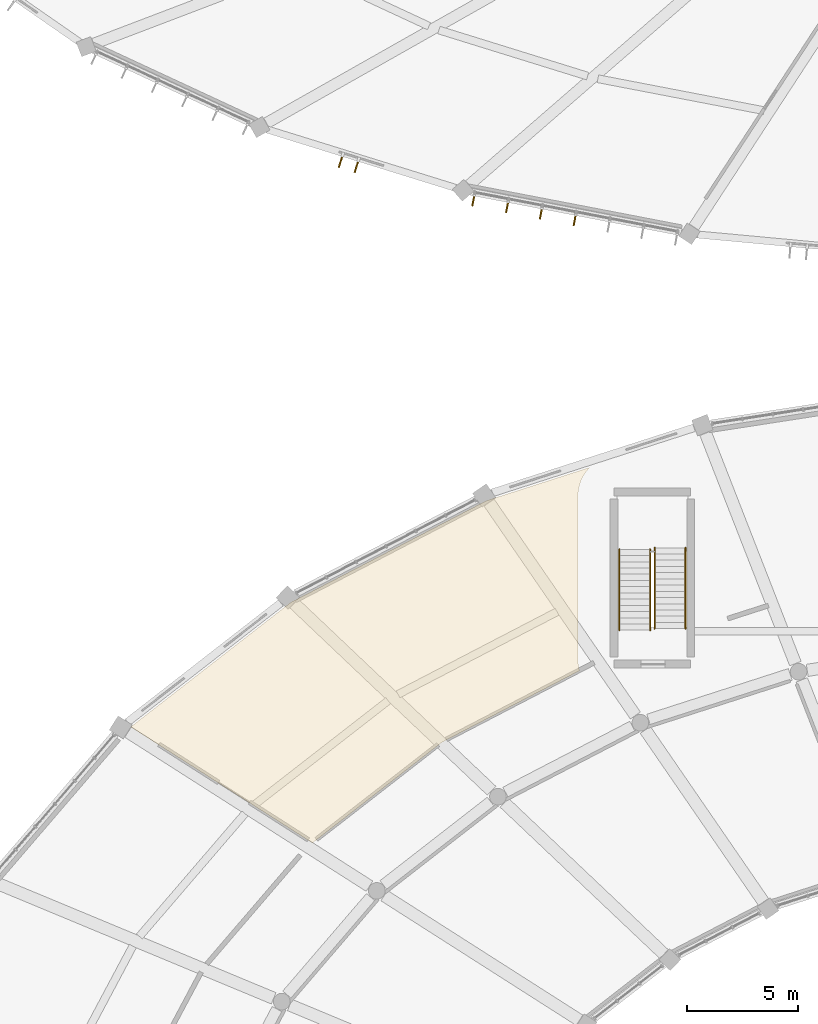
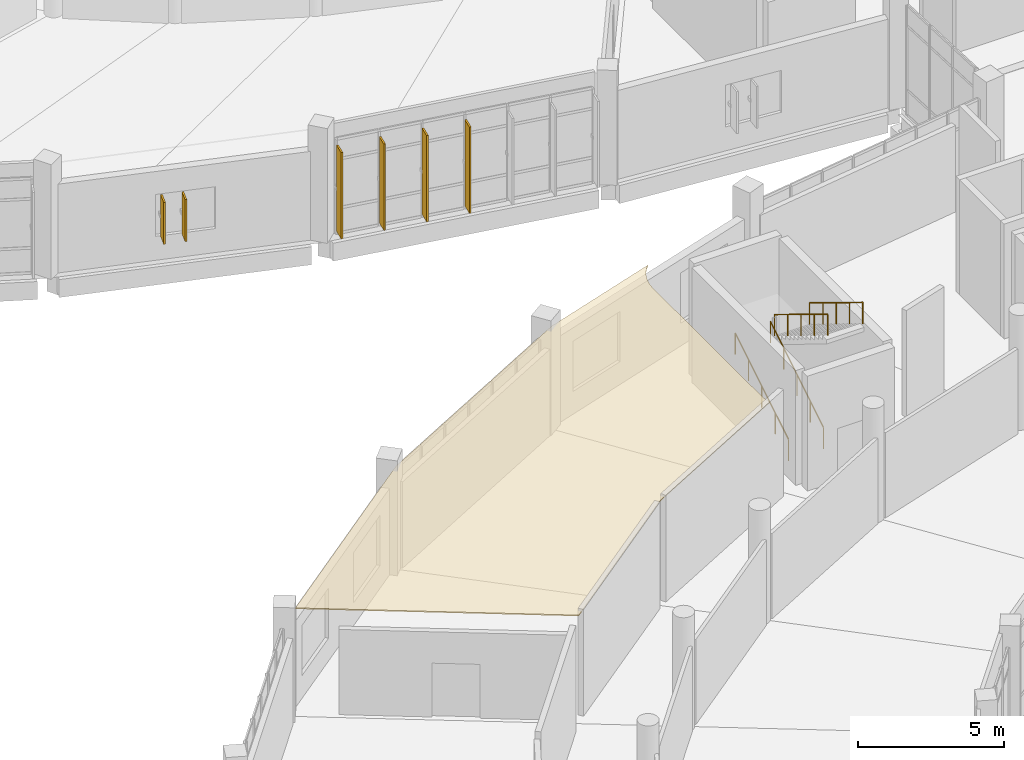
# One storey, part 157 of 179: 6 shading devices, 4 railings, 1 covering.
"""IFC4 building model written with IfcOpenShell, lengths in metres."""

from ifc_helpers import new_model, si_unit, direction, frame, origin, origin_2d, place, context, subcontext, project, spatial, polyline, rectangle, circle, outline, extrude, material, layer, layer_set, type_object, element, save


model = new_model("IFC4")

# Units and contexts
model_context = context("Model", 3, precision=1e-05, world=origin(), true_north=direction((0.0, 1.0)))
body_context = subcontext(model_context, "Body", "Model", "MODEL_VIEW")
ifc_project = project(units=[si_unit("LENGTHUNIT", "METRE"), si_unit("AREAUNIT", "SQUARE_METRE"), si_unit("VOLUMEUNIT", "CUBIC_METRE"), si_unit("PLANEANGLEUNIT", "RADIAN"), si_unit("MASSUNIT", "GRAM", prefix="KILO")], contexts=[model_context])

# Site, building, storey
site_placement = place(None, origin())
site = spatial("IfcSite", under=ifc_project, at=site_placement, CompositionType="ELEMENT")
building_placement = place(site_placement, origin())
building = spatial("IfcBuilding", under=site, at=building_placement, Name="Corvandel Quay Wholesale Market", CompositionType="ELEMENT")
storey_placement = place(building_placement, frame((0.0, 0.0, 6.0)))
storey = spatial("IfcBuildingStorey", under=building, at=storey_placement, Name="L01", CompositionType="ELEMENT", Elevation=6.0)

# Railings
ifc_material_1 = material(Name="Brushed austenitic stainless steel Grade 316", Category="steel")
ifc_layer_1 = layer(ifc_material_1, 0.048095703125)
ifc_layer_set_1 = layer_set([ifc_layer_1], Name="Brushed austenitic stainless steel Grade 316")
railing_type = type_object("IfcRailingType", Name="Tubular Stainless Stair Handrail HR01 915mm", PredefinedType="HANDRAIL", material=ifc_layer_set_1)
for number, where, name in (
    (1, (94.510009765625, 73.14990234375, 0.17138671875), "Stair Handrail 0007"),
    (2, (95.89990234375, 73.14990234375, 0.17138671875), "Stair Handrail 0008"),
):
    element("IfcRailing", number, at=place(storey_placement, frame(where)), inside=storey, type_object=railing_type, Name=name, PredefinedType="HANDRAIL", context=body_context, shape_type="SweptSolid", body=[
        extrude(circle(Radius=0.02392578125, at=origin_2d()), frame((0.0, 0.0, 0.89111328125), z_axis=(0.0, 0.852865859571, 0.52213008492), x_axis=(-1.0, 0.0, 0.0)), (0.0, 0.0, 1.0), 4.26806640625),
        extrude(circle(Radius=0.02099609375, at=origin_2d()), origin(), (0.0, 0.0, 1.0), 0.866943359375),
        extrude(circle(Radius=0.02099609375, at=origin_2d()), frame((0.0, 0.91015625, 0.55712890625)), (0.0, 0.0, 1.0), 0.866943359375),
        extrude(circle(Radius=0.02099609375, at=origin_2d()), frame((0.0, 1.820068359375, 1.1142578125)), (0.0, 0.0, 1.0), 0.866943359375),
        extrude(circle(Radius=0.02099609375, at=origin_2d()), frame((0.0, 2.72998046875, 1.67138671875)), (0.0, 0.0, 1.0), 0.866943359375),
        extrude(circle(Radius=0.02099609375, at=origin_2d()), frame((0.0, 3.64013671875, 2.228515625)), (0.0, 0.0, 1.0), 0.866943359375),
    ])
for number, where, name in (
    (3, (96.10009765625, 76.860107421875, 2.5712890625), "Stair Handrail 0009"),
    (4, (97.489990234375, 76.860107421875, 2.5712890625), "Stair Handrail 0010"),
):
    element("IfcRailing", number, at=place(storey_placement, frame(where)), inside=storey, type_object=railing_type, Name=name, PredefinedType="HANDRAIL", context=body_context, shape_type="SweptSolid", body=[
        extrude(circle(Radius=0.02392578125, at=origin_2d()), frame((0.0, 0.0, 0.89111328125), z_axis=(0.0, -0.852840387347, 0.522171689878), x_axis=(1.0, 0.0, 0.0)), (0.0, 0.0, 1.0), 4.268310546875),
        extrude(circle(Radius=0.02099609375, at=origin_2d()), origin(), (0.0, 0.0, 1.0), 0.866943359375),
        extrude(circle(Radius=0.02099609375, at=origin_2d()), frame((0.0, -0.91015625, 0.55712890625)), (0.0, 0.0, 1.0), 0.866943359375),
        extrude(circle(Radius=0.02099609375, at=origin_2d()), frame((0.0, -1.820068359375, 1.1142578125)), (0.0, 0.0, 1.0), 0.866943359375),
        extrude(circle(Radius=0.02099609375, at=origin_2d()), frame((0.0, -2.72998046875, 1.671630859375)), (0.0, 0.0, 1.0), 0.866943359375),
        extrude(circle(Radius=0.02099609375, at=origin_2d()), frame((0.0, -3.64013671875, 2.228759765625)), (0.0, 0.0, 1.0), 0.866943359375),
    ])

# Shading devices
ifc_material_2 = material(Name="Bronze anodised extruded aluminium 6063-T6", Category="aluminium")
shading_device_type = type_object("IfcShadingDeviceType", Name="Vertical Anodised Bronze Solar Fin FN01 480mm", PredefinedType="JALOUSIE", material=ifc_material_2)
for number, where, z_axis, x_axis, name in (
    (5, (81.9462890625, 94.212890625, 1.0), (0.0, 0.0, 1.0), (0.296208192067, 0.955123398809, 0.0), "Solar Fin 0310"),
    (6, (82.66259765625, 93.99072265625, 1.0), (0.0, 0.0, 1.0), (0.296208192067, 0.955123398809, 0.0), "Solar Fin 0311"),
):
    element("IfcShadingDevice", number, at=place(storey_placement, frame(where, z_axis=z_axis, x_axis=x_axis)), inside=storey, type_object=shading_device_type, Name=name, PredefinedType="JALOUSIE", context=body_context, shape_type="SweptSolid", body=[
        extrude(rectangle(XDim=0.47998046875, YDim=0.06494140625, at=origin_2d()), origin(), (0.0, 0.0, 1.0), 1.75),
    ])
for number, where, z_axis, x_axis, name in (
    (7, (87.9326171875, 92.48388671875, 0.175048828125), (0.0, 0.0, 1.0), (0.188924055984, 0.981991701121, 0.0), "Solar Fin 0315"),
    (8, (89.454345703125, 92.191162109375, 0.175048828125), (0.0, 0.0, 1.0), (0.188924055984, 0.981991701121, 0.0), "Solar Fin 0316"),
    (9, (90.97607421875, 91.8984375, 0.175048828125), (0.0, 0.0, 1.0), (0.188924055984, 0.981991701121, 0.0), "Solar Fin 0317"),
    (10, (92.497802734375, 91.605712890625, 0.175048828125), (0.0, 0.0, 1.0), (0.188924055984, 0.981991701121, 0.0), "Solar Fin 0318"),
):
    element("IfcShadingDevice", number, at=place(storey_placement, frame(where, z_axis=z_axis, x_axis=x_axis)), inside=storey, type_object=shading_device_type, Name=name, PredefinedType="JALOUSIE", context=body_context, shape_type="SweptSolid", body=[
        extrude(rectangle(XDim=0.47998046875, YDim=0.06494140625, at=origin_2d()), origin(), (0.0, 0.0, 1.0), 3.60009765625),
    ])

# Covering
ifc_material_3 = material(Name="Moisture-resistant washable PVC-faced gypsum board")
ifc_layer_2 = layer(ifc_material_3, 0.0400390625)
ifc_layer_set_2 = layer_set([ifc_layer_2], Name="Moisture-resistant washable PVC-faced gypsum board")
covering_type = type_object("IfcCoveringType", Name="Washable Hygienic Market Ceiling CLG02", PredefinedType="CEILING", material=ifc_layer_set_2)
covering_placement = place(storey_placement, frame((0.0, 0.0, 4.31005859375)))
element("IfcCovering", 11, at=covering_placement, inside=storey, type_object=covering_type, Name="Suspended Ceiling CLG-002", PredefinedType="CEILING", context=body_context, shape_type="SweptSolid", body=[
    extrude(outline(polyline([(79.718017578125, 74.404052734375), (79.719970703125, 74.405029296875), (88.52001953125, 78.97900390625), (88.52099609375, 78.97900390625), (88.52294921875, 78.97998046875), (93.18798828125, 80.48291015625), (93.177001953125, 80.472900390625), (93.05908203125, 80.342041015625), (92.952880859375, 80.199951171875), (92.863037109375, 80.049072265625), (92.787109375, 79.888916015625), (92.72802734375, 79.722900390625), (92.68505859375, 79.551025390625), (92.658935546875, 79.3759765625), (92.64990234375, 79.199951171875), (92.64990234375, 71.800048828125), (92.658935546875, 71.6240234375), (92.68505859375, 71.448974609375), (92.716064453125, 71.324951171875), (86.5390625, 68.114990234375), (80.701904296875, 63.577880859375), (80.700927734375, 63.576904296875), (80.698974609375, 63.575927734375), (80.697021484375, 63.574951171875), (80.696044921875, 63.574951171875), (80.694091796875, 63.573974609375), (80.69189453125, 63.573974609375), (80.68994140625, 63.573974609375), (80.68798828125, 63.573974609375), (80.68603515625, 63.573974609375), (80.68408203125, 63.574951171875), (80.68310546875, 63.574951171875), (80.680908203125, 63.575927734375), (80.678955078125, 63.576904296875), (72.529052734375, 68.779052734375), (72.528076171875, 68.780029296875), (72.52587890625, 68.781982421875), (72.52490234375, 68.782958984375), (72.52294921875, 68.784912109375), (72.52197265625, 68.785888671875), (72.52197265625, 68.7880859375), (72.52099609375, 68.7900390625), (72.52001953125, 68.7919921875), (72.52001953125, 68.7939453125), (72.52001953125, 68.7958984375), (72.52001953125, 68.798095703125), (72.52001953125, 68.800048828125), (72.52099609375, 68.802001953125), (72.52197265625, 68.803955078125), (72.52294921875, 68.805908203125), (72.52392578125, 68.806884765625), (72.52490234375, 68.80908203125), (72.52587890625, 68.81005859375), (72.528076171875, 68.81201171875), (79.717041015625, 74.403076171875), (79.718017578125, 74.404052734375)])), origin(), (0.0, 0.0, 1.0), 0.044921875),
])

save(model, "model.ifc")
